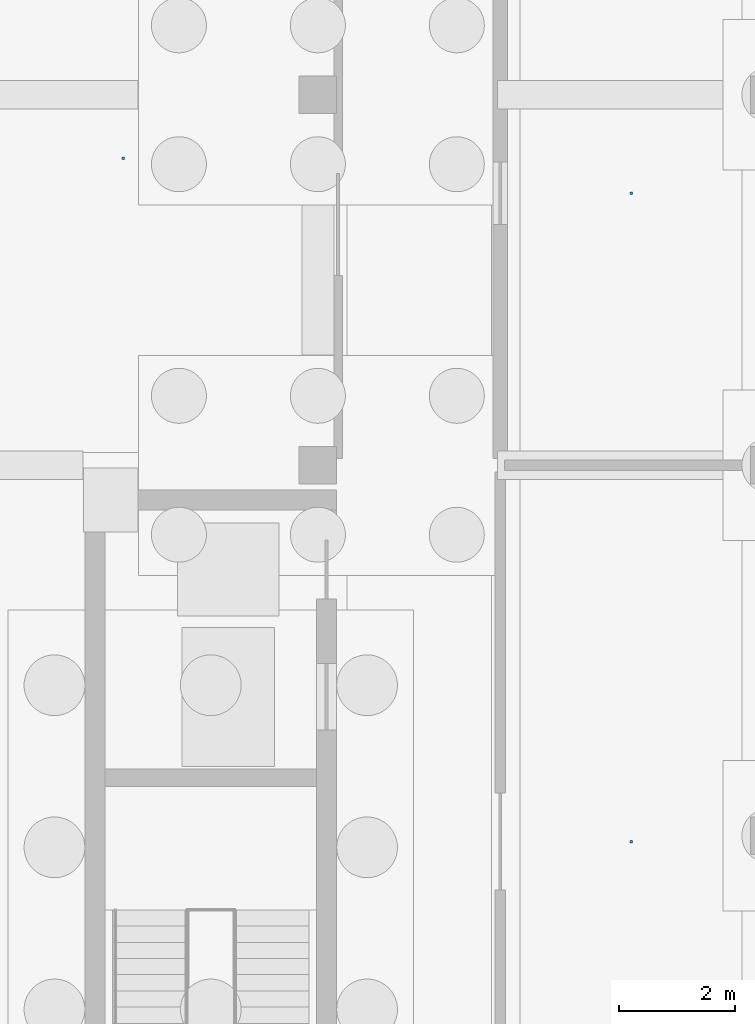
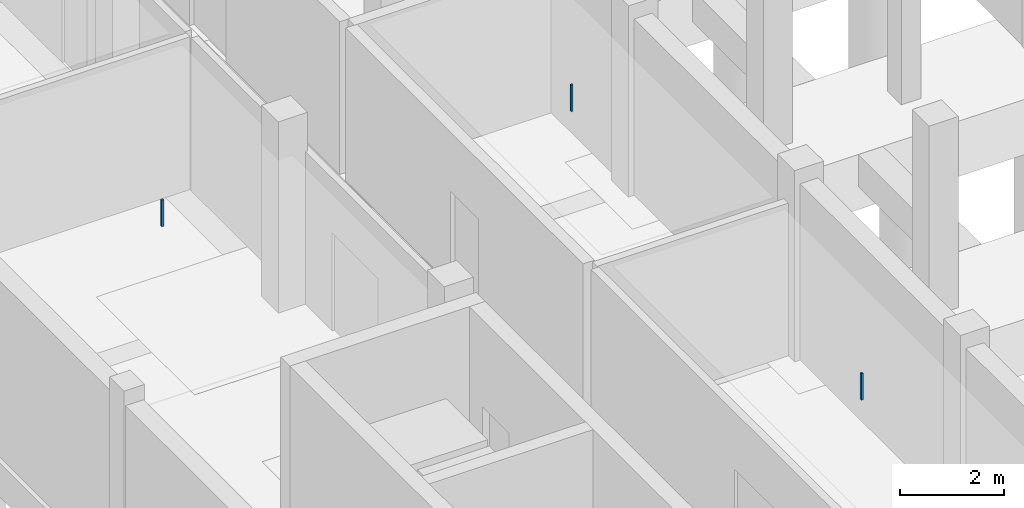
# One storey, part 18 of 21: 3 discrete accessories.
"""IFC4 building model written with IfcOpenShell, lengths in metres."""

from ifc_helpers import new_model, si_unit, derived_unit, direction, frame, origin, origin_2d, place, context, subcontext, project, spatial, rectangle, extrude, material, type_object, element, save


model = new_model("IFC4")

# Units and contexts
model_context = context("Model", 3, precision=1e-05, world=origin(), true_north=direction((0.0, 1.0)))
body_context = subcontext(model_context, "Body", "Model", "MODEL_VIEW")
ifc_project = project(units=[si_unit("LENGTHUNIT", "METRE"), si_unit("AREAUNIT", "SQUARE_METRE"), si_unit("VOLUMEUNIT", "CUBIC_METRE"), si_unit("PLANEANGLEUNIT", "RADIAN"), si_unit("MASSUNIT", "GRAM", prefix="KILO"), derived_unit("THERMALTRANSMITTANCEUNIT", [(si_unit("POWERUNIT", "WATT"), 1), (si_unit("LENGTHUNIT", "METRE"), -2), (si_unit("THERMODYNAMICTEMPERATUREUNIT", "KELVIN"), -1)])], contexts=[model_context])

# Site, building, storey
site_placement = place(None, origin())
site = spatial("IfcSite", under=ifc_project, at=site_placement, CompositionType="ELEMENT")
building_placement = place(site_placement, origin())
building = spatial("IfcBuilding", under=site, at=building_placement, Name="Braskholm Square Health Centre", CompositionType="ELEMENT")
storey_placement = place(building_placement, frame((0.0, 0.0, -4.5)))
storey = spatial("IfcBuildingStorey", under=building, at=storey_placement, Name="B01", CompositionType="ELEMENT", Elevation=-4.5)

# Discrete accessories
ifc_material = material(Name="Steel ASTM A500 Grade C", Category="steel")
discrete_accessory_type = type_object("IfcDiscreteAccessoryType", Name="CeilingSuspensionBracket", PredefinedType="BRACKET", material=ifc_material)
for number, where, z_axis, x_axis, name in (
    (1, (16.81005859375, 23.300048828125, 3.58203125), (0.0, 0.0, 1.0), (1.0, 0.0, 0.0), "Ceiling hanger bracket 0001"),
    (2, (16.81005859375, 34.5, 3.58203125), (0.0, 0.0, 1.0), (1.0, 0.0, 0.0), "Ceiling hanger bracket 0002"),
    (3, (8.0400390625, 35.10009765625, 3.58203125), (0.0, 0.0, 1.0), (1.0, 0.0, 0.0), "Ceiling hanger bracket 0004"),
):
    element("IfcDiscreteAccessory", number, at=place(storey_placement, frame(where, z_axis=z_axis, x_axis=x_axis)), inside=storey, type_object=discrete_accessory_type, Name=name, PredefinedType="BRACKET", context=body_context, shape_type="SweptSolid", body=[
        extrude(rectangle(XDim=0.044921875, YDim=0.044921875, at=origin_2d()), origin(), (0.0, 0.0, 1.0), 0.6298828125),
    ])

save(model, "model.ifc")
